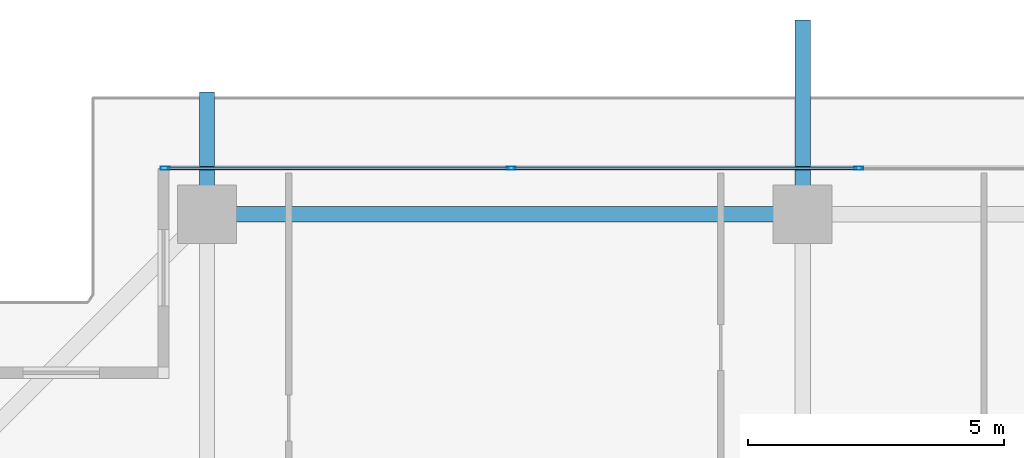
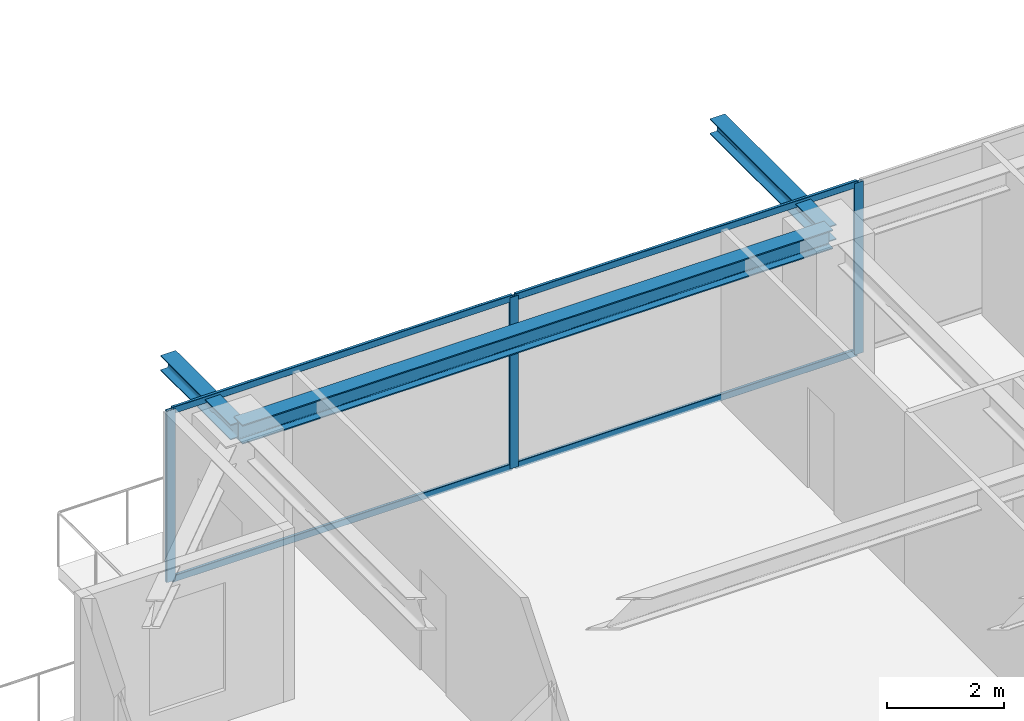
# One storey, part 20 of 38: 7 members, 3 beams, 1 element without a shape of its own.
"""IFC4 building model written with IfcOpenShell, lengths in metres."""

from ifc_helpers import new_model, si_unit, direction, frame, origin, origin_2d, place, context, subcontext, project, spatial, hollow_rectangle, i_section, extrude, source, transform, mapped, material, layer, layer_set, material_profile, profile_set, type_object, element, aggregate, save


model = new_model("IFC4")

# Units and contexts
model_context = context("Model", 3, precision=1e-05, world=origin(), true_north=direction((0.0, 1.0)))
body_context = subcontext(model_context, "Body", "Model", "MODEL_VIEW")
ifc_project = project(units=[si_unit("LENGTHUNIT", "METRE"), si_unit("AREAUNIT", "SQUARE_METRE"), si_unit("VOLUMEUNIT", "CUBIC_METRE"), si_unit("PLANEANGLEUNIT", "RADIAN"), si_unit("MASSUNIT", "GRAM", prefix="KILO")], contexts=[model_context])

# Site, building, storey
site_placement = place(None, origin())
site = spatial("IfcSite", under=ifc_project, at=site_placement, CompositionType="ELEMENT")
building_placement = place(site_placement, origin())
building = spatial("IfcBuilding", under=site, at=building_placement, Name="Serunith Strait Residences", CompositionType="ELEMENT")
storey_placement = place(building_placement, frame((0.0, 0.0, 245.10009765625)))
storey = spatial("IfcBuildingStorey", under=building, at=storey_placement, Name="L61", CompositionType="ELEMENT", Elevation=245.10009765625)

# Beams
ifc_material_1 = material(Name="Steel S355J2", Category="steel")
ifc_material_profile_1 = material_profile(ifc_material_1, i_section(OverallWidth=0.300048828125, OverallDepth=0.39990234375, WebThickness=0.013427734375, FlangeThickness=0.02392578125, FilletRadius=0.027099609375, at=origin_2d()), Name="HEB 400")
ifc_profile_set_1 = profile_set([ifc_material_profile_1], Name="Steel S355J2")
beam_type_1 = type_object("IfcBeamType", Name="BM-HEB400", PredefinedType="BEAM", material=ifc_profile_set_1)
shared_shape_1 = source(origin(), body_context, "Body", "SweptSolid", [
    extrude(i_section(OverallWidth=0.300048828125, OverallDepth=0.39990234375, WebThickness=0.013427734375, FlangeThickness=0.02392578125, FilletRadius=0.027099609375, at=origin_2d()), origin(), (0.0, 0.0, 1.0), 11.64990234375),
])
beam_1_placement = place(storey_placement, frame((27.89990234375, 48.300048828125, 3.386962890625), z_axis=(-1.0, 0.0, 0.0), x_axis=(0.0, -1.0, 0.0)))
element("IfcBeam", 1, at=beam_1_placement, inside=storey, type_object=beam_type_1, Name="L61 Perimeter Ring Beam 11", PredefinedType="BEAM", context=body_context, shape_type="MappedRepresentation", body=[
    mapped(shared_shape_1, transform((0.0, 0.0, 0.0), scale=1.0)),
])
ifc_material_profile_2 = material_profile(ifc_material_1, i_section(OverallWidth=0.300048828125, OverallDepth=0.320068359375, WebThickness=0.011474609375, FlangeThickness=0.0205078125, FilletRadius=0.027099609375, at=origin_2d()), Name="HEB 320")
ifc_profile_set_2 = profile_set([ifc_material_profile_2], Name="Steel S355J2")
beam_type_2 = type_object("IfcBeamType", Name="BM-HEB320", PredefinedType="BEAM", material=ifc_profile_set_2)
shared_shape_2 = source(origin(), body_context, "Body", "SweptSolid", [
    extrude(i_section(OverallWidth=0.300048828125, OverallDepth=0.320068359375, WebThickness=0.011474609375, FlangeThickness=0.0205078125, FilletRadius=0.027099609375, at=origin_2d()), origin(), (0.0, 0.0, 1.0), 3.800048828125),
])
beam_2_placement = place(storey_placement, frame((27.89990234375, 48.300048828125, 3.39697265625), z_axis=(0.0, 1.0, 0.0), x_axis=(-1.0, 0.0, 0.0)))
element("IfcBeam", 2, at=beam_2_placement, inside=storey, type_object=beam_type_2, Name="L62 Cantilevered Balcony Rib TC-N2", PredefinedType="BEAM", context=body_context, shape_type="MappedRepresentation", body=[
    mapped(shared_shape_2, transform((0.0, 0.0, 0.0), scale=1.0)),
])
shared_shape_3 = source(origin(), body_context, "Body", "SweptSolid", [
    extrude(i_section(OverallWidth=0.300048828125, OverallDepth=0.320068359375, WebThickness=0.011474609375, FlangeThickness=0.0205078125, FilletRadius=0.027099609375, at=origin_2d()), origin(), (0.0, 0.0, 1.0), 2.3916015625),
])
beam_3_placement = place(storey_placement, frame((16.25, 48.300048828125, 3.39697265625), z_axis=(0.0, 1.0, 0.0), x_axis=(-1.0, 0.0, 0.0)))
element("IfcBeam", 3, at=beam_3_placement, inside=storey, type_object=beam_type_2, Name="L62 Cantilevered Balcony Rib TC-N1", PredefinedType="BEAM", context=body_context, shape_type="MappedRepresentation", body=[
    mapped(shared_shape_3, transform((0.0, 0.0, 0.0), scale=1.0)),
])

# Curtain wall, members
ifc_material_2 = material(Name="Pale-Champagne Anodised Aluminium", Category="aluminium")
ifc_layer = layer(ifc_material_2, 0.199951171875, Name="Pale-Champagne Anodised Aluminium")
ifc_layer_set = layer_set([ifc_layer], Name="Pale-Champagne Anodised Aluminium")
curtain_wall_type = type_object("IfcCurtainWallType", Name="CW-SYS4", PredefinedType="NOTDEFINED", material=ifc_layer_set)
curtain_wall_placement = place(storey_placement, origin())
curtain_wall = element("IfcCurtainWall", 4, at=curtain_wall_placement, inside=storey, type_object=curtain_wall_type, Name="L61 N Unitised Fritted Curtain Wall", PredefinedType="NOTDEFINED")
ifc_material_profile_3 = material_profile(ifc_material_2, hollow_rectangle(XDim=0.06494140625, YDim=0.179931640625, WallThickness=0.00341796875, InnerFilletRadius=0.00537109375, OuterFilletRadius=0.0087890625, at=origin_2d()), Name="ALU 180x65x3.5")
ifc_profile_set_3 = profile_set([ifc_material_profile_3], Name="Pale-Champagne Anodised Aluminium")
member_type_1 = type_object("IfcMemberType", Name="CW-SYS4-MULL", PredefinedType="MULLION", material=ifc_profile_set_3)
shared_shape_4 = source(origin(), body_context, "Body", "SweptSolid", [
    extrude(hollow_rectangle(XDim=0.06494140625, YDim=0.179931640625, WallThickness=0.00341796875, InnerFilletRadius=0.00537109375, OuterFilletRadius=0.0087890625, at=origin_2d()), origin(), (0.0, 0.0, 1.0), 3.574951171875),
])
member_1_placement = place(storey_placement, frame((29.0, 49.199951171875, 0.0), z_axis=(0.0, 0.0, 1.0), x_axis=(0.0, -1.0, 0.0)))
member_1 = element("IfcMember", 5, at=member_1_placement, type_object=member_type_1, Name="CW-4 mullion 4", PredefinedType="MULLION", context=body_context, shape_type="MappedRepresentation", body=[
    mapped(shared_shape_4, transform((0.0, 0.0, 0.0), scale=1.0)),
])
member_2_placement = place(storey_placement, frame((22.199951171875, 49.199951171875, 0.0), z_axis=(0.0, 0.0, 1.0), x_axis=(0.0, -1.0, 0.0)))
member_2 = element("IfcMember", 6, at=member_2_placement, type_object=member_type_1, Name="CW-4 mullion 5", PredefinedType="MULLION", context=body_context, shape_type="MappedRepresentation", body=[
    mapped(shared_shape_4, transform((0.0, 0.0, 0.0), scale=1.0)),
])
member_3_placement = place(storey_placement, frame((15.4326171875, 49.199951171875, 0.0), z_axis=(0.0, 0.0, 1.0), x_axis=(0.0, -1.0, 0.0)))
member_3 = element("IfcMember", 7, at=member_3_placement, type_object=member_type_1, Name="CW-4 mullion 6", PredefinedType="MULLION", context=body_context, shape_type="MappedRepresentation", body=[
    mapped(shared_shape_4, transform((0.0, 0.0, 0.0), scale=1.0)),
])
ifc_material_profile_4 = material_profile(ifc_material_2, hollow_rectangle(XDim=0.06005859375, YDim=0.139892578125, WallThickness=0.00341796875, InnerFilletRadius=0.00537109375, OuterFilletRadius=0.0087890625, at=origin_2d()), Name="ALU 140x60x3.5")
ifc_profile_set_4 = profile_set([ifc_material_profile_4], Name="Pale-Champagne Anodised Aluminium")
member_type_2 = type_object("IfcMemberType", Name="CW-SYS4-TRAN", PredefinedType="USERDEFINED", material=ifc_profile_set_4)
shared_shape_5 = source(origin(), body_context, "Body", "SweptSolid", [
    extrude(hollow_rectangle(XDim=0.06005859375, YDim=0.139892578125, WallThickness=0.00341796875, InnerFilletRadius=0.00537109375, OuterFilletRadius=0.0087890625, at=origin_2d()), origin(), (0.0, 0.0, 1.0), 6.702392578125),
])
member_4_placement = place(storey_placement, frame((22.16748046875, 49.199951171875, 0.02978515625), z_axis=(-1.0, 0.0, 0.0), x_axis=(0.0, -1.0, 0.0)))
member_4 = element("IfcMember", 8, at=member_4_placement, type_object=member_type_2, Name="CW-4 transom 5.1", ObjectType="TRANSOM", PredefinedType="USERDEFINED", context=body_context, shape_type="MappedRepresentation", body=[
    mapped(shared_shape_5, transform((0.0, 0.0, 0.0), scale=1.0)),
])
member_5_placement = place(storey_placement, frame((22.16748046875, 49.199951171875, 3.544921875), z_axis=(-1.0, 0.0, 0.0), x_axis=(0.0, -1.0, 0.0)))
member_5 = element("IfcMember", 9, at=member_5_placement, type_object=member_type_2, Name="CW-4 transom 5.2", ObjectType="TRANSOM", PredefinedType="USERDEFINED", context=body_context, shape_type="MappedRepresentation", body=[
    mapped(shared_shape_5, transform((0.0, 0.0, 0.0), scale=1.0)),
])
shared_shape_6 = source(origin(), body_context, "Body", "SweptSolid", [
    extrude(hollow_rectangle(XDim=0.06005859375, YDim=0.139892578125, WallThickness=0.00341796875, InnerFilletRadius=0.00537109375, OuterFilletRadius=0.0087890625, at=origin_2d()), origin(), (0.0, 0.0, 1.0), 6.735107421875),
])
member_6_placement = place(storey_placement, frame((28.967529296875, 49.199951171875, 0.02978515625), z_axis=(-1.0, 0.0, 0.0), x_axis=(0.0, -1.0, 0.0)))
member_6 = element("IfcMember", 10, at=member_6_placement, type_object=member_type_2, Name="CW-4 transom 4.1", ObjectType="TRANSOM", PredefinedType="USERDEFINED", context=body_context, shape_type="MappedRepresentation", body=[
    mapped(shared_shape_6, transform((0.0, 0.0, 0.0), scale=1.0)),
])
member_7_placement = place(storey_placement, frame((28.967529296875, 49.199951171875, 3.544921875), z_axis=(-1.0, 0.0, 0.0), x_axis=(0.0, -1.0, 0.0)))
member_7 = element("IfcMember", 11, at=member_7_placement, type_object=member_type_2, Name="CW-4 transom 4.2", ObjectType="TRANSOM", PredefinedType="USERDEFINED", context=body_context, shape_type="MappedRepresentation", body=[
    mapped(shared_shape_6, transform((0.0, 0.0, 0.0), scale=1.0)),
])
aggregate(curtain_wall, [member_1, member_2, member_3, member_6, member_7, member_4, member_5])

save(model, "model.ifc")
